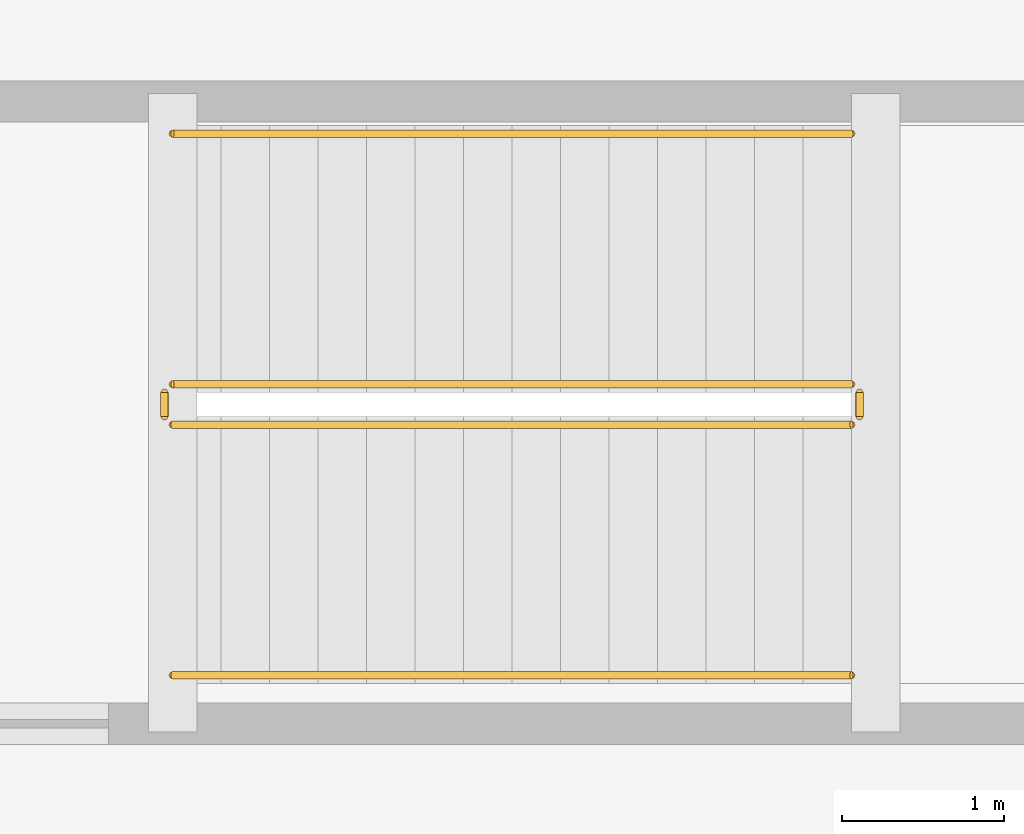
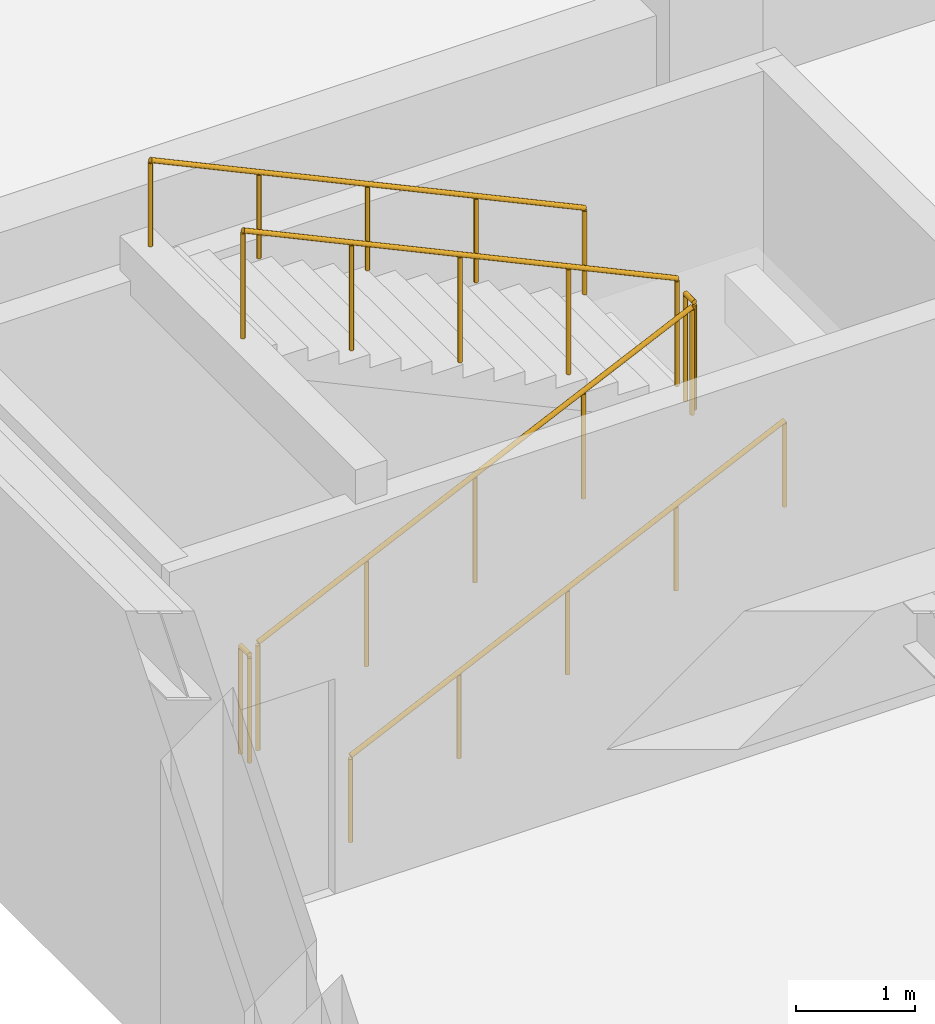
# One storey, part 54 of 63: 6 railings.
"""IFC4 building model written with IfcOpenShell, lengths in metres."""

from ifc_helpers import new_model, si_unit, direction, frame, origin, origin_2d, place, context, subcontext, project, spatial, circle, extrude, material, type_object, element, save


model = new_model("IFC4")

# Units and contexts
model_context = context("Model", 3, precision=1e-05, world=origin(), true_north=direction((0.0, 1.0)))
body_context = subcontext(model_context, "Body", "Model", "MODEL_VIEW")
ifc_project = project(units=[si_unit("LENGTHUNIT", "METRE"), si_unit("AREAUNIT", "SQUARE_METRE"), si_unit("VOLUMEUNIT", "CUBIC_METRE"), si_unit("PLANEANGLEUNIT", "RADIAN"), si_unit("MASSUNIT", "GRAM", prefix="KILO")], contexts=[model_context])

# Site, building, storey
site_placement = place(None, origin())
site = spatial("IfcSite", under=ifc_project, at=site_placement, CompositionType="ELEMENT")
building_placement = place(site_placement, origin())
building = spatial("IfcBuilding", under=site, at=building_placement, Name="Cumbredor Promenade Congress Hotel", CompositionType="ELEMENT")
storey_placement = place(building_placement, frame((0.0, 0.0, -4.199951171875)))
storey = spatial("IfcBuildingStorey", under=building, at=storey_placement, Name="B01", CompositionType="ELEMENT", Elevation=-4.199951171875)

# Railings
ifc_material = material(Name="Brushed stainless steel", Category="steel")
railing_type_1 = type_object("IfcRailingType", Name="Interior Void & Stair Guardrail GR-1100", PredefinedType="GUARDRAIL", material=ifc_material)
railing_1_placement = place(storey_placement, frame((10.75, 63.949951171875, 0.139892578125)))
element("IfcRailing", 1, at=railing_1_placement, inside=storey, type_object=railing_type_1, Name="B01 ST-06 stair guard 1", PredefinedType="GUARDRAIL", context=body_context, shape_type="SweptSolid", body=[
    extrude(circle(Radius=0.02392578125, at=origin_2d()), frame((0.0, 0.0, 1.09619140625), z_axis=(0.906184485727, 0.0, 0.422882581609), x_axis=(0.0, 1.0, 0.0)), (0.0, 0.0, 1.0), 4.634765625),
    extrude(circle(Radius=0.02099609375, at=origin_2d()), origin(), (0.0, 0.0, 1.0), 1.072021484375),
    extrude(circle(Radius=0.02099609375, at=origin_2d()), frame((1.050048828125, 0.0, 0.489990234375)), (0.0, 0.0, 1.0), 1.072021484375),
    extrude(circle(Radius=0.02099609375, at=origin_2d()), frame((2.10009765625, 0.0, 0.97998046875)), (0.0, 0.0, 1.0), 1.072021484375),
    extrude(circle(Radius=0.02099609375, at=origin_2d()), frame((3.14990234375, 0.0, 1.469970703125)), (0.0, 0.0, 1.0), 1.072021484375),
    extrude(circle(Radius=0.02099609375, at=origin_2d()), frame((4.199951171875, 0.0, 1.9599609375)), (0.0, 0.0, 1.0), 1.072021484375),
])
railing_2_placement = place(storey_placement, frame((15.0, 64.0, 2.099853515625)))
element("IfcRailing", 2, at=railing_2_placement, inside=storey, type_object=railing_type_1, Name="B01 ST-06 stair guard 2", PredefinedType="GUARDRAIL", context=body_context, shape_type="SweptSolid", body=[
    extrude(circle(Radius=0.02392578125, at=origin_2d()), frame((0.0, 0.0, 1.09619140625), z_axis=(0.0, 1.0, 0.0), x_axis=(-1.0, 0.0, 0.0)), (0.0, 0.0, 1.0), 0.14990234375),
    extrude(circle(Radius=0.02099609375, at=origin_2d()), origin(), (0.0, 0.0, 1.0), 1.072021484375),
    extrude(circle(Radius=0.02099609375, at=origin_2d()), frame((0.0, 0.14990234375, 0.0)), (0.0, 0.0, 1.0), 1.072021484375),
])
railing_3_placement = place(storey_placement, frame((14.949951171875, 64.199951171875, 2.239990234375)))
element("IfcRailing", 3, at=railing_3_placement, inside=storey, type_object=railing_type_1, Name="B01 ST-06 stair guard 3", PredefinedType="GUARDRAIL", context=body_context, shape_type="SweptSolid", body=[
    extrude(circle(Radius=0.02392578125, at=origin_2d()), frame((0.0, 0.0, 1.09619140625), z_axis=(-0.906184485727, 0.0, 0.422882581609), x_axis=(0.0, -1.0, 0.0)), (0.0, 0.0, 1.0), 4.634765625),
    extrude(circle(Radius=0.02099609375, at=origin_2d()), origin(), (0.0, 0.0, 1.0), 1.072021484375),
    extrude(circle(Radius=0.02099609375, at=origin_2d()), frame((-1.050048828125, 0.0, 0.489990234375)), (0.0, 0.0, 1.0), 1.072021484375),
    extrude(circle(Radius=0.02099609375, at=origin_2d()), frame((-2.10009765625, 0.0, 0.97998046875)), (0.0, 0.0, 1.0), 1.072021484375),
    extrude(circle(Radius=0.02099609375, at=origin_2d()), frame((-3.14990234375, 0.0, 1.469970703125)), (0.0, 0.0, 1.0), 1.072021484375),
    extrude(circle(Radius=0.02099609375, at=origin_2d()), frame((-4.199951171875, 0.0, 1.9599609375)), (0.0, 0.0, 1.0), 1.072021484375),
])
railing_4_placement = place(storey_placement, frame((10.699951171875, 64.0, 0.0)))
element("IfcRailing", 4, at=railing_4_placement, inside=storey, type_object=railing_type_1, Name="B01 ST-06 stair guard 4", PredefinedType="GUARDRAIL", context=body_context, shape_type="SweptSolid", body=[
    extrude(circle(Radius=0.02392578125, at=origin_2d()), frame((0.0, 0.0, 1.09619140625), z_axis=(0.0, 1.0, 0.0), x_axis=(-1.0, 0.0, 0.0)), (0.0, 0.0, 1.0), 0.14990234375),
    extrude(circle(Radius=0.02099609375, at=origin_2d()), origin(), (0.0, 0.0, 1.0), 1.072021484375),
    extrude(circle(Radius=0.02099609375, at=origin_2d()), frame((0.0, 0.14990234375, 0.0)), (0.0, 0.0, 1.0), 1.072021484375),
])
railing_type_2 = type_object("IfcRailingType", Name="Stair Pitch Handrail HR-900", PredefinedType="HANDRAIL", material=ifc_material)
railing_5_placement = place(storey_placement, frame((10.75, 62.39990234375, 0.139892578125)))
element("IfcRailing", 5, at=railing_5_placement, inside=storey, type_object=railing_type_2, Name="B01 ST-06 stair handrail 1", PredefinedType="HANDRAIL", context=body_context, shape_type="SweptSolid", body=[
    extrude(circle(Radius=0.02392578125, at=origin_2d()), frame((0.0, 0.0, 0.8759765625), z_axis=(0.906184485727, 0.0, 0.422882581609), x_axis=(0.0, 1.0, 0.0)), (0.0, 0.0, 1.0), 4.634765625),
    extrude(circle(Radius=0.02099609375, at=origin_2d()), origin(), (0.0, 0.0, 1.0), 0.851806640625),
    extrude(circle(Radius=0.02099609375, at=origin_2d()), frame((1.050048828125, 0.0, 0.489990234375)), (0.0, 0.0, 1.0), 0.851806640625),
    extrude(circle(Radius=0.02099609375, at=origin_2d()), frame((2.10009765625, 0.0, 0.97998046875)), (0.0, 0.0, 1.0), 0.851806640625),
    extrude(circle(Radius=0.02099609375, at=origin_2d()), frame((3.14990234375, 0.0, 1.469970703125)), (0.0, 0.0, 1.0), 0.851806640625),
    extrude(circle(Radius=0.02099609375, at=origin_2d()), frame((4.199951171875, 0.0, 1.9599609375)), (0.0, 0.0, 1.0), 0.851806640625),
])
railing_6_placement = place(storey_placement, frame((14.949951171875, 65.75, 2.239990234375)))
element("IfcRailing", 6, at=railing_6_placement, inside=storey, type_object=railing_type_2, Name="B01 ST-06 stair handrail 2", PredefinedType="HANDRAIL", context=body_context, shape_type="SweptSolid", body=[
    extrude(circle(Radius=0.02392578125, at=origin_2d()), frame((0.0, 0.0, 0.8759765625), z_axis=(-0.906184485727, 0.0, 0.422882581609), x_axis=(0.0, -1.0, 0.0)), (0.0, 0.0, 1.0), 4.634765625),
    extrude(circle(Radius=0.02099609375, at=origin_2d()), origin(), (0.0, 0.0, 1.0), 0.851806640625),
    extrude(circle(Radius=0.02099609375, at=origin_2d()), frame((-1.050048828125, 0.0, 0.489990234375)), (0.0, 0.0, 1.0), 0.851806640625),
    extrude(circle(Radius=0.02099609375, at=origin_2d()), frame((-2.10009765625, 0.0, 0.97998046875)), (0.0, 0.0, 1.0), 0.851806640625),
    extrude(circle(Radius=0.02099609375, at=origin_2d()), frame((-3.14990234375, 0.0, 1.469970703125)), (0.0, 0.0, 1.0), 0.851806640625),
    extrude(circle(Radius=0.02099609375, at=origin_2d()), frame((-4.199951171875, 0.0, 1.9599609375)), (0.0, 0.0, 1.0), 0.851806640625),
])

save(model, "model.ifc")
